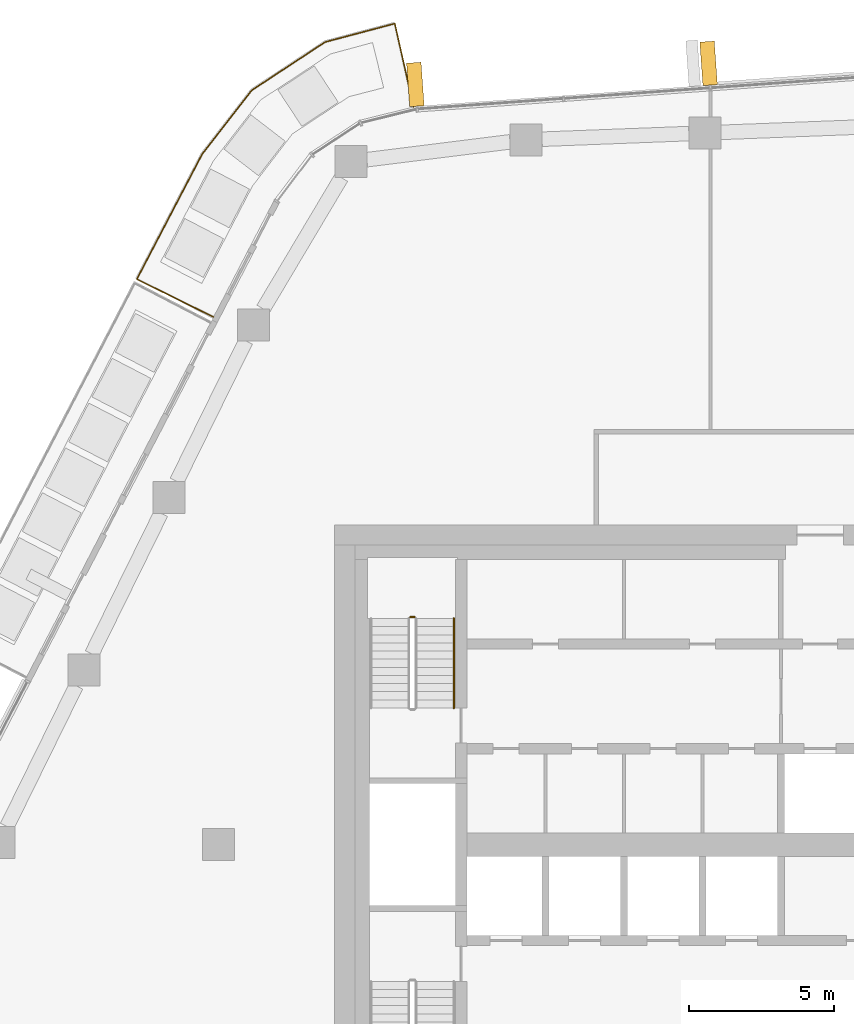
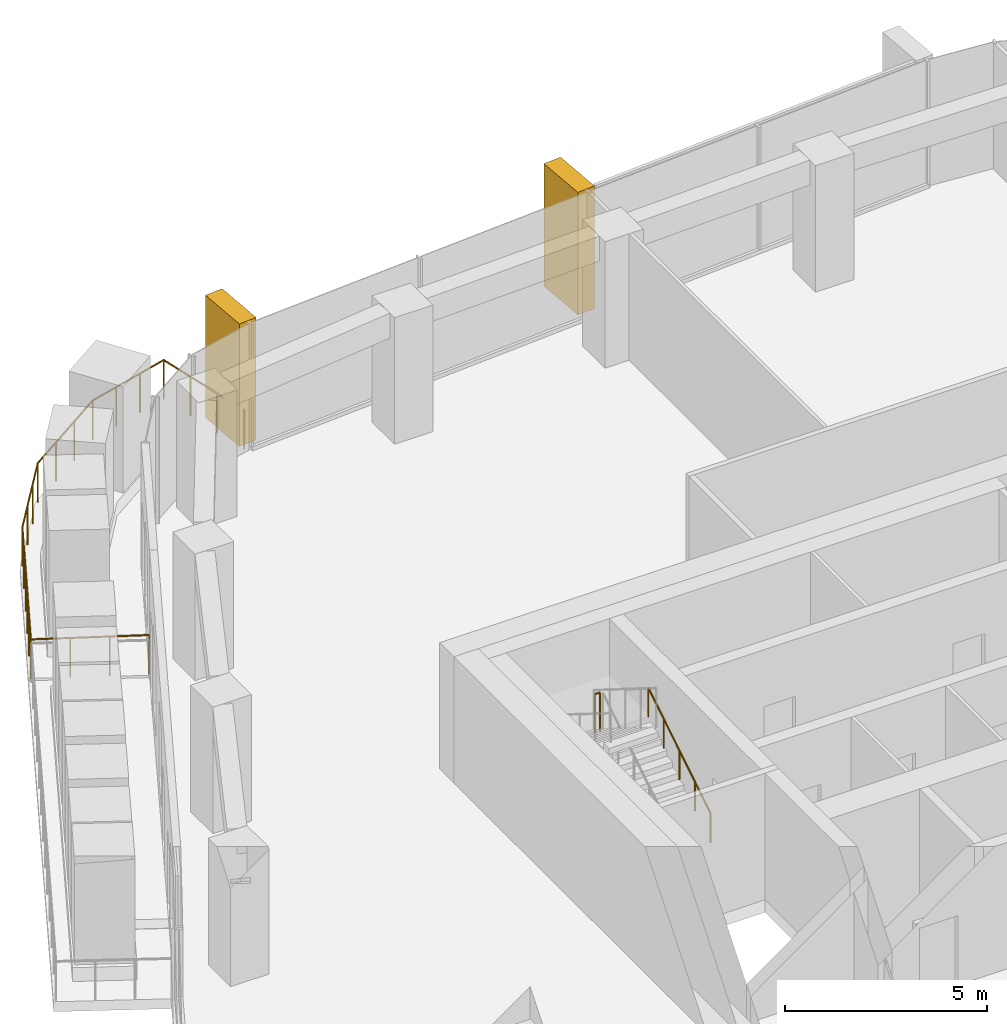
# One storey, part 19 of 21: 3 railings, 2 coverings, 1 element without a shape of its own.
"""IFC4 building model written with IfcOpenShell, lengths in metres."""

from ifc_helpers import new_model, si_unit, direction, frame, origin, origin_2d, place, context, subcontext, project, spatial, rectangle, circle, extrude, material, layer, layer_set, material_profile, profile_set, type_object, element, aggregate, save


model = new_model("IFC4")

# Units and contexts
model_context = context("Model", 3, precision=1e-05, world=origin(), true_north=direction((0.0, 1.0)))
body_context = subcontext(model_context, "Body", "Model", "MODEL_VIEW")
ifc_project = project(units=[si_unit("LENGTHUNIT", "METRE"), si_unit("AREAUNIT", "SQUARE_METRE"), si_unit("VOLUMEUNIT", "CUBIC_METRE"), si_unit("PLANEANGLEUNIT", "RADIAN"), si_unit("MASSUNIT", "GRAM", prefix="KILO")], contexts=[model_context])

# Site, building, storey
site_placement = place(None, origin())
site = spatial("IfcSite", under=ifc_project, at=site_placement, CompositionType="ELEMENT")
building_placement = place(site_placement, origin())
building = spatial("IfcBuilding", under=site, at=building_placement, Name="Dongbaek Canopy Tower", CompositionType="ELEMENT")
storey_placement = place(building_placement, frame((0.0, 0.0, 274.800048828125)))
storey = spatial("IfcBuildingStorey", under=building, at=storey_placement, Name="L58", CompositionType="ELEMENT", Elevation=274.800048828125)

# Railing
ifc_material_1 = material(Name="Stainless steel", Category="steel")
railing_type_1 = type_object("IfcRailingType", Name="Balcony balustrade 1200", PredefinedType="BALUSTRADE", material=ifc_material_1)
railing_1_placement = place(storey_placement, frame((-11.2841796875, 25.37255859375, 0.0)))
element("IfcRailing", 1, at=railing_1_placement, inside=storey, type_object=railing_type_1, Name="Balcony guard L58 5", PredefinedType="BALUSTRADE", context=body_context, shape_type="SweptSolid", body=[
    extrude(circle(Radius=0.02392578125, at=origin_2d()), frame((0.0, 0.0, 1.17578125), z_axis=(-0.219610978917, 0.975587524489, 0.0), x_axis=(-0.975587524489, -0.219610978917, 0.0)), (0.0, 0.0, 1.0), 2.9404296875),
    extrude(circle(Radius=0.02392578125, at=origin_2d()), frame((-0.645751953125, 2.86865234375, 1.17578125), z_axis=(-0.966688022334, -0.255957550145, 0.0), x_axis=(0.255957550145, -0.966688022334, 0.0)), (0.0, 0.0, 1.0), 2.47802734375),
    extrude(circle(Radius=0.02392578125, at=origin_2d()), frame((-3.041259765625, 2.234375, 1.17578125), z_axis=(-0.83547363868, -0.54953052606, 0.0), x_axis=(0.54953052606, -0.83547363868, 0.0)), (0.0, 0.0, 1.0), 3.025146484375),
    extrude(circle(Radius=0.02392578125, at=origin_2d()), frame((-5.568603515625, 0.572021484375, 1.17578125), z_axis=(-0.613417092057, -0.789759122247, 0.0), x_axis=(0.789759122247, -0.613417092057, 0.0)), (0.0, 0.0, 1.0), 2.77734375),
    extrude(circle(Radius=0.02392578125, at=origin_2d()), frame((-7.272216796875, -1.621337890625, 1.17578125), z_axis=(-0.462822183526, -0.886451141596, 0.0), x_axis=(0.886451141596, -0.462822183526, 0.0)), (0.0, 0.0, 1.0), 4.8525390625),
    extrude(circle(Radius=0.02392578125, at=origin_2d()), frame((-9.51806640625, -5.9228515625, 1.17578125), z_axis=(0.89667407753, -0.442691313091, 0.0), x_axis=(0.442691313091, 0.89667407753, 0.0)), (0.0, 0.0, 1.0), 2.940673828125),
    extrude(circle(Radius=0.02099609375, at=origin_2d()), origin(), (0.0, 0.0, 1.0), 1.15185546875),
    extrude(circle(Radius=0.02099609375, at=origin_2d()), frame((-0.21533203125, 0.956298828125, 0.0)), (0.0, 0.0, 1.0), 1.15185546875),
    extrude(circle(Radius=0.02099609375, at=origin_2d()), frame((-0.430419921875, 1.912353515625, 0.0)), (0.0, 0.0, 1.0), 1.15185546875),
    extrude(circle(Radius=0.02099609375, at=origin_2d()), frame((-0.645751953125, 2.86865234375, 0.0)), (0.0, 0.0, 1.0), 1.15185546875),
    extrude(circle(Radius=0.02099609375, at=origin_2d()), frame((-1.4443359375, 2.6572265625, 0.0)), (0.0, 0.0, 1.0), 1.15185546875),
    extrude(circle(Radius=0.02099609375, at=origin_2d()), frame((-2.24267578125, 2.44580078125, 0.0)), (0.0, 0.0, 1.0), 1.15185546875),
    extrude(circle(Radius=0.02099609375, at=origin_2d()), frame((-3.041259765625, 2.234375, 0.0)), (0.0, 0.0, 1.0), 1.15185546875),
    extrude(circle(Radius=0.02099609375, at=origin_2d()), frame((-3.8837890625, 1.68017578125, 0.0)), (0.0, 0.0, 1.0), 1.15185546875),
    extrude(circle(Radius=0.02099609375, at=origin_2d()), frame((-4.72607421875, 1.126220703125, 0.0)), (0.0, 0.0, 1.0), 1.15185546875),
    extrude(circle(Radius=0.02099609375, at=origin_2d()), frame((-5.568603515625, 0.572021484375, 0.0)), (0.0, 0.0, 1.0), 1.15185546875),
    extrude(circle(Radius=0.02099609375, at=origin_2d()), frame((-6.136474609375, -0.1591796875, 0.0)), (0.0, 0.0, 1.0), 1.15185546875),
    extrude(circle(Radius=0.02099609375, at=origin_2d()), frame((-6.704345703125, -0.89013671875, 0.0)), (0.0, 0.0, 1.0), 1.15185546875),
    extrude(circle(Radius=0.02099609375, at=origin_2d()), frame((-7.272216796875, -1.621337890625, 0.0)), (0.0, 0.0, 1.0), 1.15185546875),
    extrude(circle(Radius=0.02099609375, at=origin_2d()), frame((-7.721435546875, -2.481689453125, 0.0)), (0.0, 0.0, 1.0), 1.15185546875),
    extrude(circle(Radius=0.02099609375, at=origin_2d()), frame((-8.170654296875, -3.342041015625, 0.0)), (0.0, 0.0, 1.0), 1.15185546875),
    extrude(circle(Radius=0.02099609375, at=origin_2d()), frame((-8.61962890625, -4.2021484375, 0.0)), (0.0, 0.0, 1.0), 1.15185546875),
    extrude(circle(Radius=0.02099609375, at=origin_2d()), frame((-9.06884765625, -5.0625, 0.0)), (0.0, 0.0, 1.0), 1.15185546875),
    extrude(circle(Radius=0.02099609375, at=origin_2d()), frame((-9.51806640625, -5.9228515625, 0.0)), (0.0, 0.0, 1.0), 1.15185546875),
    extrude(circle(Radius=0.02099609375, at=origin_2d()), frame((-8.63916015625, -6.356689453125, 0.0)), (0.0, 0.0, 1.0), 1.15185546875),
    extrude(circle(Radius=0.02099609375, at=origin_2d()), frame((-7.76025390625, -6.790771484375, 0.0)), (0.0, 0.0, 1.0), 1.15185546875),
    extrude(circle(Radius=0.02099609375, at=origin_2d()), frame((-6.88134765625, -7.224609375, 0.0)), (0.0, 0.0, 1.0), 1.15185546875),
])

# Curtain wall, coverings
ifc_material_2 = material(Name="Aluminium 6063-T6 pale anodised", Category="aluminium")
ifc_layer = layer(ifc_material_2, 0.199951171875)
ifc_layer_set = layer_set([ifc_layer], Name="CW-1 unitised tower curtain wall")
curtain_wall_type = type_object("IfcCurtainWallType", Name="CW-1 unitised tower curtain wall", PredefinedType="NOTDEFINED", material=ifc_layer_set)
curtain_wall_placement = place(storey_placement, origin())
curtain_wall = element("IfcCurtainWall", 2, at=curtain_wall_placement, inside=storey, type_object=curtain_wall_type, Name="CW-1 curtain wall F1.1", PredefinedType="NOTDEFINED")
ifc_material_3 = material(Name="Aluminium 6063-T6 pale metal fin", Category="aluminium")
ifc_material_profile = material_profile(ifc_material_3, rectangle(XDim=1.5, YDim=0.5, at=origin_2d()), Name="Fin FN1 500 x 1500 pale metal")
ifc_profile_set = profile_set([ifc_material_profile], Name="Aluminium 6063-T6 pale metal fin")
covering_type = type_object("IfcCoveringType", Name="Fin FN1 500 x 1500 pale metal", PredefinedType="CLADDING", material=ifc_profile_set)
covering_1_placement = place(storey_placement, frame((-1.13671875, 26.873046875, 0.119873046875), z_axis=(0.0, 0.0, 1.0), x_axis=(-0.07174408026, 0.997423073198, 0.0)))
covering_1 = element("IfcCovering", 3, at=covering_1_placement, type_object=covering_type, Name="Fin F1.1.3", PredefinedType="CLADDING", context=body_context, shape_type="SweptSolid", body=[
    extrude(rectangle(XDim=1.5, YDim=0.5, at=origin_2d()), origin(), (0.0, 0.0, 1.0), 3.7001953125),
])
covering_2_placement = place(storey_placement, frame((-11.222900390625, 26.1474609375, 0.119873046875), z_axis=(0.0, 0.0, 1.0), x_axis=(-0.07174408026, 0.997423073198, 0.0)))
covering_2 = element("IfcCovering", 4, at=covering_2_placement, type_object=covering_type, Name="Fin F1.1.5", PredefinedType="CLADDING", context=body_context, shape_type="SweptSolid", body=[
    extrude(rectangle(XDim=1.5, YDim=0.5, at=origin_2d()), origin(), (0.0, 0.0, 1.0), 3.7001953125),
])
aggregate(curtain_wall, [covering_1, covering_2])

# Railings
ifc_material_4 = material(Name="Stainless steel tube and balusters", Category="steel")
railing_type_2 = type_object("IfcRailingType", Name="Stair guard 1200", PredefinedType="GUARDRAIL", material=ifc_material_4)
railing_2_placement = place(storey_placement, frame((-11.25, 7.830078125, 2.099853515625)))
element("IfcRailing", 5, at=railing_2_placement, inside=storey, type_object=railing_type_2, Name="L58 ST-C stair guard 2", PredefinedType="GUARDRAIL", context=body_context, shape_type="SweptSolid", body=[
    extrude(circle(Radius=0.02392578125, at=origin_2d()), frame((0.0, 0.0, 1.17578125), z_axis=(-1.0, 0.0, 0.0), x_axis=(0.0, -1.0, 0.0)), (0.0, 0.0, 1.0), 0.14990234375),
    extrude(circle(Radius=0.02099609375, at=origin_2d()), origin(), (0.0, 0.0, 1.0), 1.15185546875),
    extrude(circle(Radius=0.02099609375, at=origin_2d()), frame((-0.14990234375, 0.0, 0.0)), (0.0, 0.0, 1.0), 1.15185546875),
])
ifc_material_5 = material(Name="Stainless steel tube", Category="steel")
railing_type_3 = type_object("IfcRailingType", Name="Stair handrail 900", PredefinedType="HANDRAIL", material=ifc_material_5)
railing_3_placement = place(storey_placement, frame((-9.89990234375, 4.699951171875, 0.175048828125)))
element("IfcRailing", 6, at=railing_3_placement, inside=storey, type_object=railing_type_3, Name="L58 ST-C stair handrail 1", PredefinedType="HANDRAIL", context=body_context, shape_type="SweptSolid", body=[
    extrude(circle(Radius=0.02392578125, at=origin_2d()), frame((0.0, 0.0, 0.8759765625), z_axis=(0.0, 0.848028513186, 0.529950602248), x_axis=(-1.0, 0.0, 0.0)), (0.0, 0.0, 1.0), 3.632080078125),
    extrude(circle(Radius=0.02099609375, at=origin_2d()), origin(), (0.0, 0.0, 1.0), 0.851806640625),
    extrude(circle(Radius=0.02099609375, at=origin_2d()), frame((0.0, 0.77001953125, 0.481201171875)), (0.0, 0.0, 1.0), 0.851806640625),
    extrude(circle(Radius=0.02099609375, at=origin_2d()), frame((0.0, 1.5400390625, 0.96240234375)), (0.0, 0.0, 1.0), 0.851806640625),
    extrude(circle(Radius=0.02099609375, at=origin_2d()), frame((0.0, 2.31005859375, 1.443603515625)), (0.0, 0.0, 1.0), 0.851806640625),
    extrude(circle(Radius=0.02099609375, at=origin_2d()), frame((0.0, 3.080078125, 1.9248046875)), (0.0, 0.0, 1.0), 0.851806640625),
])

save(model, "model.ifc")
